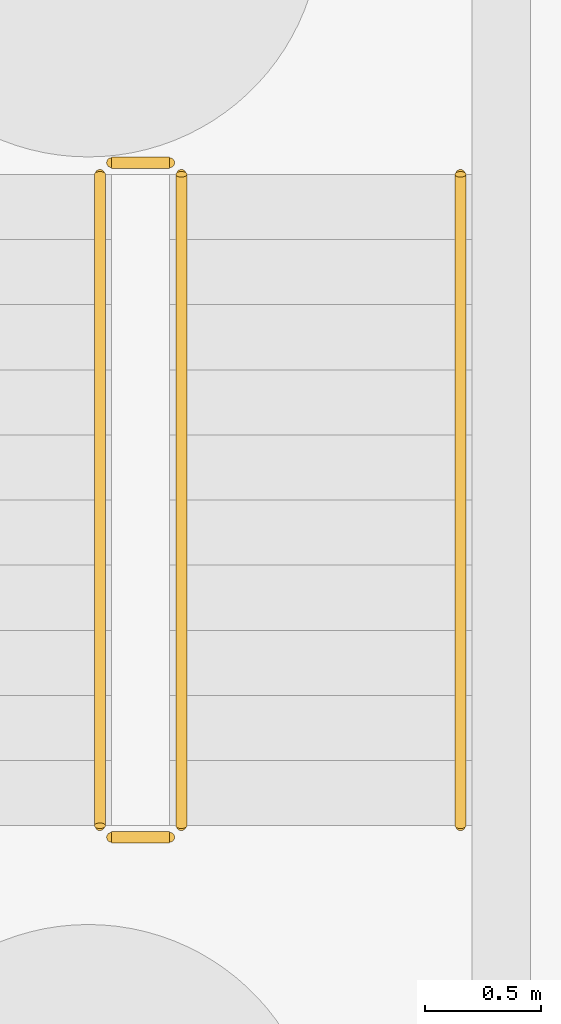
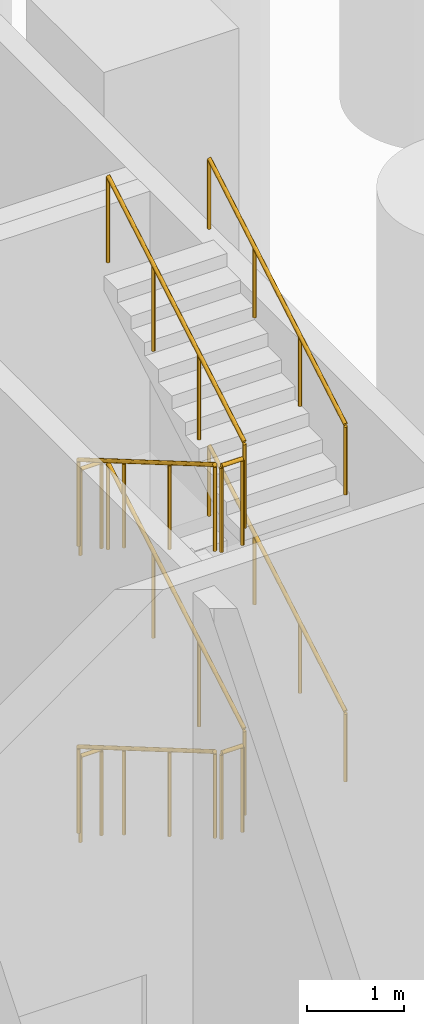
# One storey, part 41 of 48: 10 railings.
"""IFC4 building model written with IfcOpenShell, lengths in metres."""

from ifc_helpers import new_model, si_unit, direction, frame, origin, origin_2d, place, context, subcontext, project, spatial, circle, extrude, material, type_object, element, save


model = new_model("IFC4")

# Units and contexts
model_context = context("Model", 3, precision=1e-05, world=origin(), true_north=direction((0.0, 1.0)))
body_context = subcontext(model_context, "Body", "Model", "MODEL_VIEW")
ifc_project = project(units=[si_unit("LENGTHUNIT", "METRE"), si_unit("AREAUNIT", "SQUARE_METRE"), si_unit("VOLUMEUNIT", "CUBIC_METRE"), si_unit("PLANEANGLEUNIT", "RADIAN"), si_unit("MASSUNIT", "GRAM", prefix="KILO")], contexts=[model_context])

# Site, building, storey
site_placement = place(None, origin())
site = spatial("IfcSite", under=ifc_project, at=site_placement, CompositionType="ELEMENT")
building_placement = place(site_placement, origin())
building = spatial("IfcBuilding", under=site, at=building_placement, Name="Mahtab Terrace Research Tower", CompositionType="ELEMENT")
storey_placement = place(building_placement, origin())
storey = spatial("IfcBuildingStorey", under=building, at=storey_placement, Name="G", CompositionType="ELEMENT", Elevation=0.0)

# Railings
ifc_material = material(Name="Stainless steel AISI 304", Category="steel")
railing_type_1 = type_object("IfcRailingType", Name="Stair guard 1100", PredefinedType="GUARDRAIL", material=ifc_material)
railing_1_placement = place(storey_placement, frame((2.949951171875, -4.175048828125, 0.16357421875)))
element("IfcRailing", 1, at=railing_1_placement, inside=storey, type_object=railing_type_1, Name="G ST2 stair guard 1", PredefinedType="GUARDRAIL", context=body_context, shape_type="SweptSolid", body=[
    extrude(circle(Radius=0.02392578125, at=origin_2d()), frame((0.0, 0.0, 1.076171875), z_axis=(0.0, -0.863360870873, 0.504586966384), x_axis=(1.0, 0.0, 0.0)), (0.0, 0.0, 1.0), 3.2431640625),
    extrude(circle(Radius=0.02099609375, at=origin_2d()), origin(), (0.0, 0.0, 1.0), 1.052001953125),
    extrude(circle(Radius=0.02099609375, at=origin_2d()), frame((0.0, -0.933349609375, 0.54541015625)), (0.0, 0.0, 1.0), 1.052001953125),
    extrude(circle(Radius=0.02099609375, at=origin_2d()), frame((0.0, -1.86669921875, 1.091064453125)), (0.0, 0.0, 1.0), 1.052001953125),
    extrude(circle(Radius=0.02099609375, at=origin_2d()), frame((0.0, -2.800048828125, 1.636474609375)), (0.0, 0.0, 1.0), 1.052001953125),
])
railing_2_placement = place(storey_placement, frame((3.0, -7.02490234375, 1.800048828125)))
element("IfcRailing", 2, at=railing_2_placement, inside=storey, type_object=railing_type_1, Name="G ST2 stair guard 2", PredefinedType="GUARDRAIL", context=body_context, shape_type="SweptSolid", body=[
    extrude(circle(Radius=0.02392578125, at=origin_2d()), frame((0.0, 0.0, 1.076171875), z_axis=(1.0, 0.0, 0.0), x_axis=(0.0, 1.0, 0.0)), (0.0, 0.0, 1.0), 0.25),
    extrude(circle(Radius=0.02099609375, at=origin_2d()), origin(), (0.0, 0.0, 1.0), 1.052001953125),
    extrude(circle(Radius=0.02099609375, at=origin_2d()), frame((0.25, 0.0, 0.0)), (0.0, 0.0, 1.0), 1.052001953125),
])
railing_3_placement = place(storey_placement, frame((3.300048828125, -6.97509765625, 1.963623046875)))
element("IfcRailing", 3, at=railing_3_placement, inside=storey, type_object=railing_type_1, Name="G ST2 stair guard 3", PredefinedType="GUARDRAIL", context=body_context, shape_type="SweptSolid", body=[
    extrude(circle(Radius=0.02392578125, at=origin_2d()), frame((0.0, 0.0, 1.076171875), z_axis=(0.0, 0.863360870873, 0.504586966384), x_axis=(-1.0, 0.0, 0.0)), (0.0, 0.0, 1.0), 3.2431640625),
    extrude(circle(Radius=0.02099609375, at=origin_2d()), origin(), (0.0, 0.0, 1.0), 1.052001953125),
    extrude(circle(Radius=0.02099609375, at=origin_2d()), frame((0.0, 0.933349609375, 0.54541015625)), (0.0, 0.0, 1.0), 1.052001953125),
    extrude(circle(Radius=0.02099609375, at=origin_2d()), frame((0.0, 1.86669921875, 1.091064453125)), (0.0, 0.0, 1.0), 1.052001953125),
    extrude(circle(Radius=0.02099609375, at=origin_2d()), frame((0.0, 2.800048828125, 1.636474609375)), (0.0, 0.0, 1.0), 1.052001953125),
])
railing_4_placement = place(storey_placement, frame((3.0, -4.125, 3.60009765625)))
element("IfcRailing", 4, at=railing_4_placement, inside=storey, type_object=railing_type_1, Name="G ST2 stair guard 4", PredefinedType="GUARDRAIL", context=body_context, shape_type="SweptSolid", body=[
    extrude(circle(Radius=0.02392578125, at=origin_2d()), frame((0.0, 0.0, 1.076171875), z_axis=(1.0, 0.0, 0.0), x_axis=(0.0, 1.0, 0.0)), (0.0, 0.0, 1.0), 0.25),
    extrude(circle(Radius=0.02099609375, at=origin_2d()), origin(), (0.0, 0.0, 1.0), 1.052001953125),
    extrude(circle(Radius=0.02099609375, at=origin_2d()), frame((0.25, 0.0, 0.0)), (0.0, 0.0, 1.0), 1.052001953125),
])
railing_5_placement = place(storey_placement, frame((2.949951171875, -4.175048828125, 3.763671875)))
element("IfcRailing", 5, at=railing_5_placement, inside=storey, type_object=railing_type_1, Name="G ST2 stair guard 5", PredefinedType="GUARDRAIL", context=body_context, shape_type="SweptSolid", body=[
    extrude(circle(Radius=0.02392578125, at=origin_2d()), frame((0.0, 0.0, 1.076171875), z_axis=(0.0, -0.863393664356, 0.504530851732), x_axis=(1.0, 0.0, 0.0)), (0.0, 0.0, 1.0), 3.2431640625),
    extrude(circle(Radius=0.02099609375, at=origin_2d()), origin(), (0.0, 0.0, 1.0), 1.052001953125),
    extrude(circle(Radius=0.02099609375, at=origin_2d()), frame((0.0, -0.933349609375, 0.54541015625)), (0.0, 0.0, 1.0), 1.052001953125),
    extrude(circle(Radius=0.02099609375, at=origin_2d()), frame((0.0, -1.86669921875, 1.0908203125)), (0.0, 0.0, 1.0), 1.052001953125),
    extrude(circle(Radius=0.02099609375, at=origin_2d()), frame((0.0, -2.800048828125, 1.63623046875)), (0.0, 0.0, 1.0), 1.052001953125),
])
railing_6_placement = place(storey_placement, frame((3.0, -7.02490234375, 5.39990234375)))
element("IfcRailing", 6, at=railing_6_placement, inside=storey, type_object=railing_type_1, Name="G ST2 stair guard 6", PredefinedType="GUARDRAIL", context=body_context, shape_type="SweptSolid", body=[
    extrude(circle(Radius=0.02392578125, at=origin_2d()), frame((0.0, 0.0, 1.076171875), z_axis=(1.0, 0.0, 0.0), x_axis=(0.0, 1.0, 0.0)), (0.0, 0.0, 1.0), 0.25),
    extrude(circle(Radius=0.02099609375, at=origin_2d()), origin(), (0.0, 0.0, 1.0), 1.052001953125),
    extrude(circle(Radius=0.02099609375, at=origin_2d()), frame((0.25, 0.0, 0.0)), (0.0, 0.0, 1.0), 1.052001953125),
])
railing_7_placement = place(storey_placement, frame((3.300048828125, -6.97509765625, 5.563720703125)))
element("IfcRailing", 7, at=railing_7_placement, inside=storey, type_object=railing_type_1, Name="G ST2 stair guard 7", PredefinedType="GUARDRAIL", context=body_context, shape_type="SweptSolid", body=[
    extrude(circle(Radius=0.02392578125, at=origin_2d()), frame((0.0, 0.0, 1.076171875), z_axis=(0.0, 0.863393664356, 0.504530851732), x_axis=(-1.0, 0.0, 0.0)), (0.0, 0.0, 1.0), 3.2431640625),
    extrude(circle(Radius=0.02099609375, at=origin_2d()), origin(), (0.0, 0.0, 1.0), 1.052001953125),
    extrude(circle(Radius=0.02099609375, at=origin_2d()), frame((0.0, 0.933349609375, 0.54541015625)), (0.0, 0.0, 1.0), 1.052001953125),
    extrude(circle(Radius=0.02099609375, at=origin_2d()), frame((0.0, 1.86669921875, 1.0908203125)), (0.0, 0.0, 1.0), 1.052001953125),
    extrude(circle(Radius=0.02099609375, at=origin_2d()), frame((0.0, 2.800048828125, 1.63623046875)), (0.0, 0.0, 1.0), 1.052001953125),
])
railing_8_placement = place(storey_placement, frame((3.0, -4.125, 0.0)))
element("IfcRailing", 8, at=railing_8_placement, inside=storey, type_object=railing_type_1, Name="G ST2 stair guard 8", PredefinedType="GUARDRAIL", context=body_context, shape_type="SweptSolid", body=[
    extrude(circle(Radius=0.02392578125, at=origin_2d()), frame((0.0, 0.0, 1.076171875), z_axis=(1.0, 0.0, 0.0), x_axis=(0.0, 1.0, 0.0)), (0.0, 0.0, 1.0), 0.25),
    extrude(circle(Radius=0.02099609375, at=origin_2d()), origin(), (0.0, 0.0, 1.0), 1.052001953125),
    extrude(circle(Radius=0.02099609375, at=origin_2d()), frame((0.25, 0.0, 0.0)), (0.0, 0.0, 1.0), 1.052001953125),
])
railing_type_2 = type_object("IfcRailingType", Name="Stair handrail 900", PredefinedType="HANDRAIL", material=ifc_material)
railing_9_placement = place(storey_placement, frame((4.5, -6.97509765625, 1.963623046875)))
element("IfcRailing", 9, at=railing_9_placement, inside=storey, type_object=railing_type_2, Name="G ST2 stair handrail 2", PredefinedType="HANDRAIL", context=body_context, shape_type="SweptSolid", body=[
    extrude(circle(Radius=0.02392578125, at=origin_2d()), frame((0.0, 0.0, 0.8759765625), z_axis=(0.0, 0.863360870873, 0.504586966384), x_axis=(-1.0, 0.0, 0.0)), (0.0, 0.0, 1.0), 3.2431640625),
    extrude(circle(Radius=0.02099609375, at=origin_2d()), origin(), (0.0, 0.0, 1.0), 0.851806640625),
    extrude(circle(Radius=0.02099609375, at=origin_2d()), frame((0.0, 0.933349609375, 0.54541015625)), (0.0, 0.0, 1.0), 0.851806640625),
    extrude(circle(Radius=0.02099609375, at=origin_2d()), frame((0.0, 1.86669921875, 1.091064453125)), (0.0, 0.0, 1.0), 0.851806640625),
    extrude(circle(Radius=0.02099609375, at=origin_2d()), frame((0.0, 2.800048828125, 1.636474609375)), (0.0, 0.0, 1.0), 0.851806640625),
])
railing_10_placement = place(storey_placement, frame((4.5, -6.97509765625, 5.563720703125)))
element("IfcRailing", 10, at=railing_10_placement, inside=storey, type_object=railing_type_2, Name="G ST2 stair handrail 4", PredefinedType="HANDRAIL", context=body_context, shape_type="SweptSolid", body=[
    extrude(circle(Radius=0.02392578125, at=origin_2d()), frame((0.0, 0.0, 0.8759765625), z_axis=(0.0, 0.863393664356, 0.504530851732), x_axis=(-1.0, 0.0, 0.0)), (0.0, 0.0, 1.0), 3.2431640625),
    extrude(circle(Radius=0.02099609375, at=origin_2d()), origin(), (0.0, 0.0, 1.0), 0.851806640625),
    extrude(circle(Radius=0.02099609375, at=origin_2d()), frame((0.0, 0.933349609375, 0.54541015625)), (0.0, 0.0, 1.0), 0.851806640625),
    extrude(circle(Radius=0.02099609375, at=origin_2d()), frame((0.0, 1.86669921875, 1.0908203125)), (0.0, 0.0, 1.0), 0.851806640625),
    extrude(circle(Radius=0.02099609375, at=origin_2d()), frame((0.0, 2.800048828125, 1.63623046875)), (0.0, 0.0, 1.0), 0.851806640625),
])

save(model, "model.ifc")
